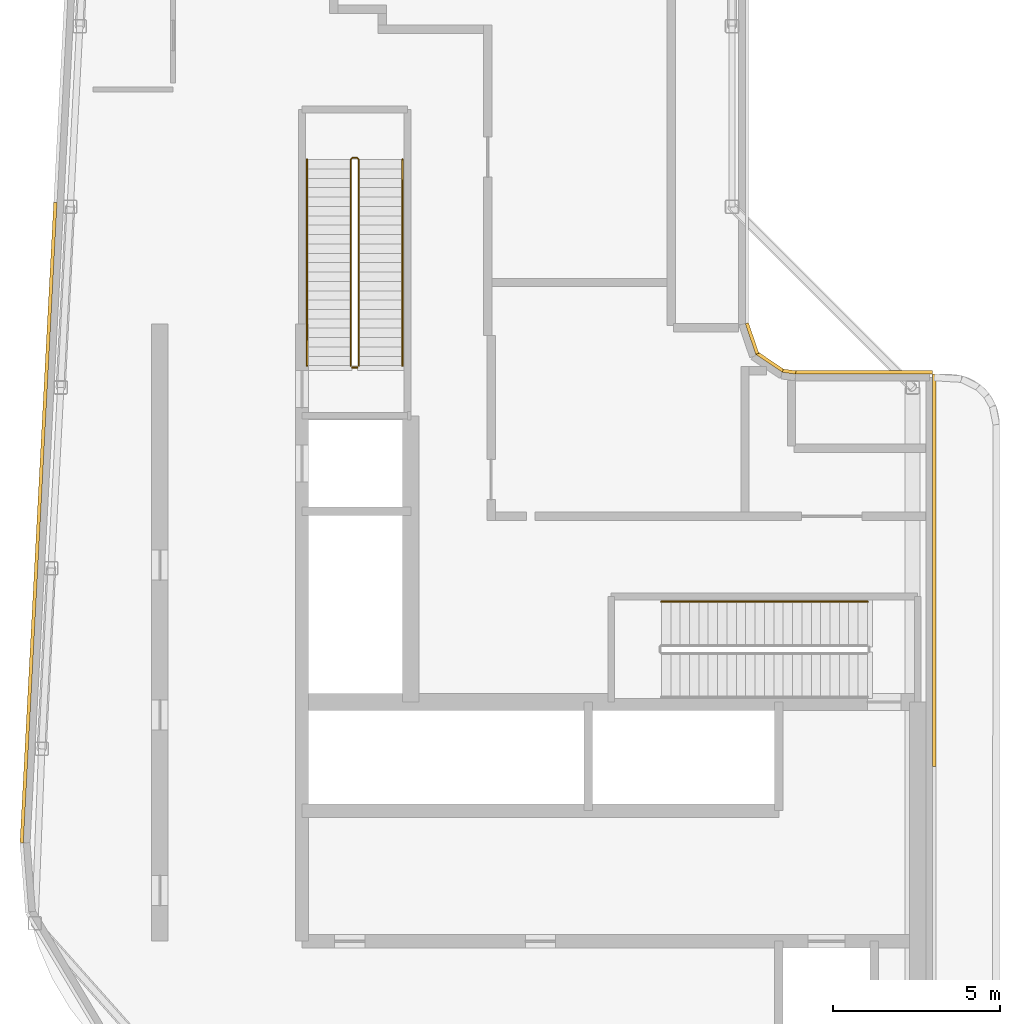
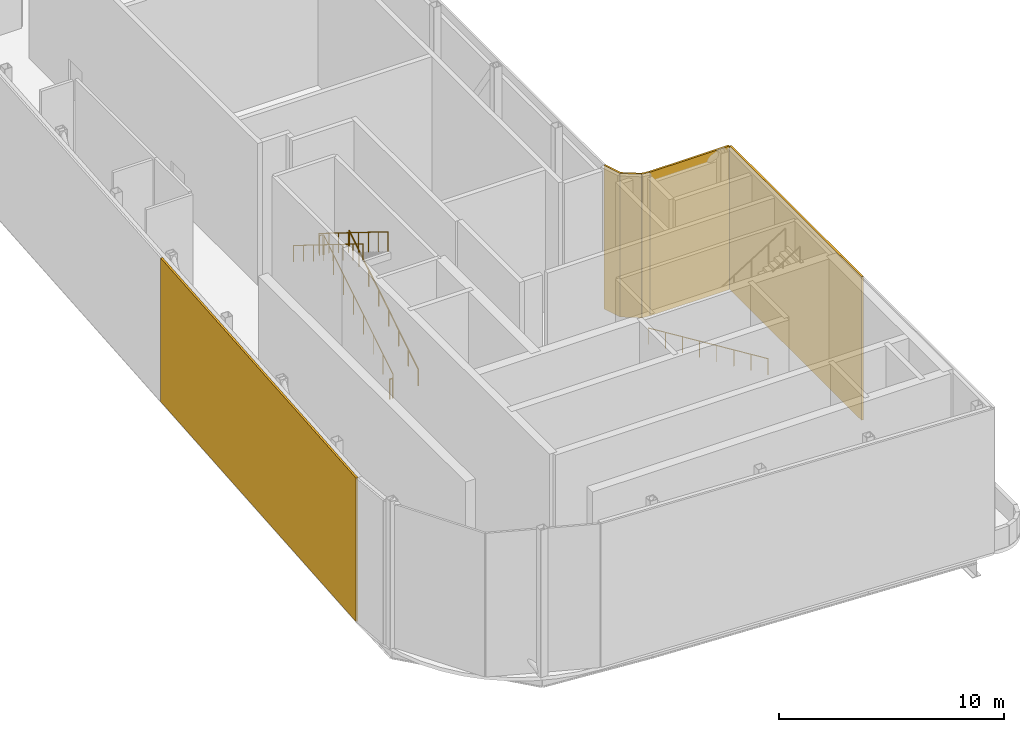
# One storey, part 8 of 10: 6 shading devices, 5 railings.
"""IFC4 building model written with IfcOpenShell, lengths in metres."""

from ifc_helpers import new_model, si_unit, direction, frame, origin, origin_2d, place, context, subcontext, project, spatial, rectangle, circle, extrude, material, layer, layer_set, type_object, element, save


model = new_model("IFC4")

# Units and contexts
model_context = context("Model", 3, precision=1e-05, world=origin(), true_north=direction((0.0, 1.0)))
body_context = subcontext(model_context, "Body", "Model", "MODEL_VIEW")
ifc_project = project(units=[si_unit("LENGTHUNIT", "METRE"), si_unit("AREAUNIT", "SQUARE_METRE"), si_unit("VOLUMEUNIT", "CUBIC_METRE"), si_unit("PLANEANGLEUNIT", "RADIAN"), si_unit("MASSUNIT", "GRAM", prefix="KILO")], contexts=[model_context])

# Site, building, storey
site_placement = place(None, origin())
site = spatial("IfcSite", under=ifc_project, at=site_placement, CompositionType="ELEMENT")
building_placement = place(site_placement, origin())
building = spatial("IfcBuilding", under=site, at=building_placement, Name="Kheshtan School and Residences Tower", CompositionType="ELEMENT")
storey_placement = place(building_placement, frame((0.0, 0.0, 396.800048828125)))
storey = spatial("IfcBuildingStorey", under=building, at=storey_placement, Name="L93", CompositionType="ELEMENT", Elevation=396.800048828125)

# Shading devices
ifc_material_1 = material(Name="Terracotta louvre blades", Category="masonry")
ifc_layer = layer(ifc_material_1, 0.10009765625)
ifc_layer_set = layer_set([ifc_layer], Name="Plant louvre screen")
shading_device_type = type_object("IfcShadingDeviceType", Name="Plant louvre screen", PredefinedType="JALOUSIE", material=ifc_layer_set)
shading_device_1_placement = place(storey_placement, frame((48.201904296875, 47.06005859375, 0.0), z_axis=(0.0, 0.0, 1.0), x_axis=(0.321505572714, -0.946907686479, 0.0)))
element("IfcShadingDevice", 1, at=shading_device_1_placement, inside=storey, type_object=shading_device_type, Name="Plant louvre L93 1.1", PredefinedType="JALOUSIE", context=body_context, shape_type="SweptSolid", body=[
    extrude(rectangle(XDim=0.964111328125, YDim=0.10009765625, at=origin_2d()), origin(), (0.0, 0.0, 1.0), 7.800048828125),
])
shading_device_2_placement = place(storey_placement, frame((48.739013671875, 46.361083984375, 0.0), z_axis=(0.0, 0.0, 1.0), x_axis=(0.831411428565, -0.555657301267, 0.0)))
element("IfcShadingDevice", 2, at=shading_device_2_placement, inside=storey, type_object=shading_device_type, Name="Plant louvre L93 2.1", PredefinedType="JALOUSIE", context=body_context, shape_type="SweptSolid", body=[
    extrude(rectangle(XDim=0.965087890625, YDim=0.10009765625, at=origin_2d()), origin(), (0.0, 0.0, 1.0), 7.800048828125),
])
shading_device_3_placement = place(storey_placement, frame((49.31298828125, 46.074951171875, 0.0), z_axis=(0.0, 0.0, 1.0), x_axis=(0.991472176971, -0.130318541633, 0.0)))
element("IfcShadingDevice", 3, at=shading_device_3_placement, inside=storey, type_object=shading_device_type, Name="Plant louvre L93 3.1", PredefinedType="JALOUSIE", context=body_context, shape_type="SweptSolid", body=[
    extrude(rectangle(XDim=0.39111328125, YDim=0.10009765625, at=origin_2d()), origin(), (0.0, 0.0, 1.0), 7.800048828125),
])
shading_device_4_placement = place(storey_placement, frame((51.550048828125, 46.050048828125, 0.0), z_axis=(0.0, 0.0, 1.0), x_axis=(1.0, 0.0, 0.0)))
element("IfcShadingDevice", 4, at=shading_device_4_placement, inside=storey, type_object=shading_device_type, Name="Plant louvre L93 4.1", PredefinedType="JALOUSIE", context=body_context, shape_type="SweptSolid", body=[
    extrude(rectangle(XDim=4.10009765625, YDim=0.10009765625, at=origin_2d()), origin(), (0.0, 0.0, 1.0), 7.800048828125),
])
shading_device_5_placement = place(storey_placement, frame((53.64990234375, 40.136962890625, 0.0), z_axis=(0.0, 0.0, 1.0), x_axis=(0.0, -1.0, 0.0)))
element("IfcShadingDevice", 5, at=shading_device_5_placement, inside=storey, type_object=shading_device_type, Name="Plant louvre L93 5.1", PredefinedType="JALOUSIE", context=body_context, shape_type="SweptSolid", body=[
    extrude(rectangle(XDim=11.72705078125, YDim=0.10009765625, at=origin_2d()), origin(), (0.0, 0.0, 1.0), 7.800048828125),
])
shading_device_6_placement = place(storey_placement, frame((26.8740234375, 41.56005859375, 0.0), z_axis=(0.0, 0.0, 1.0), x_axis=(0.052562536748, 0.998617634398, 0.0)))
element("IfcShadingDevice", 6, at=shading_device_6_placement, inside=storey, type_object=shading_device_type, Name="Plant louvre L93 10.1", PredefinedType="JALOUSIE", context=body_context, shape_type="SweptSolid", body=[
    extrude(rectangle(XDim=19.1630859375, YDim=0.10009765625, at=origin_2d()), origin(), (0.0, 0.0, 1.0), 7.800048828125),
])

# Railings
ifc_material_2 = material(Name="Stainless steel balustrade", Category="steel")
railing_type_1 = type_object("IfcRailingType", Name="Stair guard 1100", PredefinedType="GUARDRAIL", material=ifc_material_2)
railing_1_placement = place(storey_placement, frame((36.449951171875, 46.25, 0.173828125)))
element("IfcRailing", 7, at=railing_1_placement, inside=storey, type_object=railing_type_1, Name="L93 ST2 stair guard 1", PredefinedType="GUARDRAIL", context=body_context, shape_type="SweptSolid", body=[
    extrude(circle(Radius=0.02392578125, at=origin_2d()), frame((0.0, 0.0, 1.076171875), z_axis=(0.0, 0.849468459523, 0.527639399851), x_axis=(-1.0, 0.0, 0.0)), (0.0, 0.0, 1.0), 7.25146484375),
    extrude(circle(Radius=0.02392578125, at=origin_2d()), frame((0.0, 6.159912109375, 4.90234375), z_axis=(-0.707106781187, 0.707106781187, 0.0), x_axis=(-0.707106781187, -0.707106781187, 0.0)), (0.0, 0.0, 1.0), 0.07080078125),
    extrude(circle(Radius=0.02392578125, at=origin_2d()), frame((-0.050048828125, 6.2099609375, 4.90234375), z_axis=(-1.0, 0.0, 0.0), x_axis=(0.0, -1.0, 0.0)), (0.0, 0.0, 1.0), 0.14990234375),
    extrude(circle(Radius=0.02392578125, at=origin_2d()), frame((-0.199951171875, 6.2099609375, 4.90234375), z_axis=(-0.266662732588, -0.266662732588, 0.92616519806), x_axis=(0.707106781187, -0.707106781187, 0.0)), (0.0, 0.0, 1.0), 0.187744140625),
    extrude(circle(Radius=0.02392578125, at=origin_2d()), frame((-0.25, 6.159912109375, 5.076171875), z_axis=(0.0, -0.849468459523, 0.527639399851), x_axis=(1.0, 0.0, 0.0)), (0.0, 0.0, 1.0), 7.25146484375),
    extrude(circle(Radius=0.02099609375, at=origin_2d()), origin(), (0.0, 0.0, 1.0), 1.052001953125),
    extrude(circle(Radius=0.02099609375, at=origin_2d()), frame((0.0, 0.8798828125, 0.546630859375)), (0.0, 0.0, 1.0), 1.052001953125),
    extrude(circle(Radius=0.02099609375, at=origin_2d()), frame((0.0, 1.760009765625, 1.09326171875)), (0.0, 0.0, 1.0), 1.052001953125),
    extrude(circle(Radius=0.02099609375, at=origin_2d()), frame((0.0, 2.639892578125, 1.639892578125)), (0.0, 0.0, 1.0), 1.052001953125),
    extrude(circle(Radius=0.02099609375, at=origin_2d()), frame((0.0, 3.52001953125, 2.186279296875)), (0.0, 0.0, 1.0), 1.052001953125),
    extrude(circle(Radius=0.02099609375, at=origin_2d()), frame((0.0, 4.39990234375, 2.73291015625)), (0.0, 0.0, 1.0), 1.052001953125),
    extrude(circle(Radius=0.02099609375, at=origin_2d()), frame((0.0, 5.280029296875, 3.279541015625)), (0.0, 0.0, 1.0), 1.052001953125),
    extrude(circle(Radius=0.02099609375, at=origin_2d()), frame((0.0, 6.159912109375, 3.826171875)), (0.0, 0.0, 1.0), 1.052001953125),
    extrude(circle(Radius=0.02099609375, at=origin_2d()), frame((-0.050048828125, 6.2099609375, 3.826171875)), (0.0, 0.0, 1.0), 1.052001953125),
    extrude(circle(Radius=0.02099609375, at=origin_2d()), frame((-0.199951171875, 6.2099609375, 3.826171875)), (0.0, 0.0, 1.0), 1.052001953125),
    extrude(circle(Radius=0.02099609375, at=origin_2d()), frame((-0.25, 6.159912109375, 4.0)), (0.0, 0.0, 1.0), 1.052001953125),
    extrude(circle(Radius=0.02099609375, at=origin_2d()), frame((-0.25, 5.280029296875, 4.546630859375)), (0.0, 0.0, 1.0), 1.052001953125),
    extrude(circle(Radius=0.02099609375, at=origin_2d()), frame((-0.25, 4.39990234375, 5.09326171875)), (0.0, 0.0, 1.0), 1.052001953125),
    extrude(circle(Radius=0.02099609375, at=origin_2d()), frame((-0.25, 3.52001953125, 5.639892578125)), (0.0, 0.0, 1.0), 1.052001953125),
    extrude(circle(Radius=0.02099609375, at=origin_2d()), frame((-0.25, 2.639892578125, 6.186279296875)), (0.0, 0.0, 1.0), 1.052001953125),
    extrude(circle(Radius=0.02099609375, at=origin_2d()), frame((-0.25, 1.760009765625, 6.73291015625)), (0.0, 0.0, 1.0), 1.052001953125),
    extrude(circle(Radius=0.02099609375, at=origin_2d()), frame((-0.25, 0.8798828125, 7.279541015625)), (0.0, 0.0, 1.0), 1.052001953125),
    extrude(circle(Radius=0.02099609375, at=origin_2d()), frame((-0.25, 0.0, 7.826171875)), (0.0, 0.0, 1.0), 1.052001953125),
])
railing_2_placement = place(storey_placement, frame((36.39990234375, 46.199951171875, 0.0)))
element("IfcRailing", 8, at=railing_2_placement, inside=storey, type_object=railing_type_1, Name="L93 ST2 stair guard 2", PredefinedType="GUARDRAIL", context=body_context, shape_type="SweptSolid", body=[
    extrude(circle(Radius=0.02392578125, at=origin_2d()), frame((0.0, 0.0, 1.076171875), z_axis=(-1.0, 0.0, 0.0), x_axis=(0.0, -1.0, 0.0)), (0.0, 0.0, 1.0), 0.14990234375),
    extrude(circle(Radius=0.02099609375, at=origin_2d()), origin(), (0.0, 0.0, 1.0), 1.052001953125),
    extrude(circle(Radius=0.02099609375, at=origin_2d()), frame((-0.14990234375, 0.0, 0.0)), (0.0, 0.0, 1.0), 1.052001953125),
])
ifc_material_3 = material(Name="Stainless steel handrail", Category="steel")
railing_type_2 = type_object("IfcRailingType", Name="Stair handrail 900", PredefinedType="HANDRAIL", material=ifc_material_3)
railing_3_placement = place(storey_placement, frame((51.64990234375, 39.199951171875, 0.173828125)))
element("IfcRailing", 9, at=railing_3_placement, inside=storey, type_object=railing_type_2, Name="L93 ST1 stair handrail 1", PredefinedType="HANDRAIL", context=body_context, shape_type="SweptSolid", body=[
    extrude(circle(Radius=0.02392578125, at=origin_2d()), frame((0.0, 0.0, 0.8759765625), z_axis=(-0.849468459523, 0.0, 0.527639399851), x_axis=(0.0, -1.0, 0.0)), (0.0, 0.0, 1.0), 7.25146484375),
    extrude(circle(Radius=0.02099609375, at=origin_2d()), origin(), (0.0, 0.0, 1.0), 0.851806640625),
    extrude(circle(Radius=0.02099609375, at=origin_2d()), frame((-0.8798828125, 0.0, 0.546630859375)), (0.0, 0.0, 1.0), 0.851806640625),
    extrude(circle(Radius=0.02099609375, at=origin_2d()), frame((-1.760009765625, 0.0, 1.09326171875)), (0.0, 0.0, 1.0), 0.851806640625),
    extrude(circle(Radius=0.02099609375, at=origin_2d()), frame((-2.639892578125, 0.0, 1.639892578125)), (0.0, 0.0, 1.0), 0.851806640625),
    extrude(circle(Radius=0.02099609375, at=origin_2d()), frame((-3.52001953125, 0.0, 2.186279296875)), (0.0, 0.0, 1.0), 0.851806640625),
    extrude(circle(Radius=0.02099609375, at=origin_2d()), frame((-4.39990234375, 0.0, 2.73291015625)), (0.0, 0.0, 1.0), 0.851806640625),
    extrude(circle(Radius=0.02099609375, at=origin_2d()), frame((-5.280029296875, 0.0, 3.279541015625)), (0.0, 0.0, 1.0), 0.851806640625),
    extrude(circle(Radius=0.02099609375, at=origin_2d()), frame((-6.159912109375, 0.0, 3.826171875)), (0.0, 0.0, 1.0), 0.851806640625),
])
railing_4_placement = place(storey_placement, frame((37.75, 46.25, 0.173828125)))
element("IfcRailing", 10, at=railing_4_placement, inside=storey, type_object=railing_type_2, Name="L93 ST2 stair handrail 1", PredefinedType="HANDRAIL", context=body_context, shape_type="SweptSolid", body=[
    extrude(circle(Radius=0.02392578125, at=origin_2d()), frame((0.0, 0.0, 0.8759765625), z_axis=(0.0, 0.849468459523, 0.527639399851), x_axis=(-1.0, 0.0, 0.0)), (0.0, 0.0, 1.0), 7.25146484375),
    extrude(circle(Radius=0.02099609375, at=origin_2d()), origin(), (0.0, 0.0, 1.0), 0.851806640625),
    extrude(circle(Radius=0.02099609375, at=origin_2d()), frame((0.0, 0.8798828125, 0.546630859375)), (0.0, 0.0, 1.0), 0.851806640625),
    extrude(circle(Radius=0.02099609375, at=origin_2d()), frame((0.0, 1.760009765625, 1.09326171875)), (0.0, 0.0, 1.0), 0.851806640625),
    extrude(circle(Radius=0.02099609375, at=origin_2d()), frame((0.0, 2.639892578125, 1.639892578125)), (0.0, 0.0, 1.0), 0.851806640625),
    extrude(circle(Radius=0.02099609375, at=origin_2d()), frame((0.0, 3.52001953125, 2.186279296875)), (0.0, 0.0, 1.0), 0.851806640625),
    extrude(circle(Radius=0.02099609375, at=origin_2d()), frame((0.0, 4.39990234375, 2.73291015625)), (0.0, 0.0, 1.0), 0.851806640625),
    extrude(circle(Radius=0.02099609375, at=origin_2d()), frame((0.0, 5.280029296875, 3.279541015625)), (0.0, 0.0, 1.0), 0.851806640625),
    extrude(circle(Radius=0.02099609375, at=origin_2d()), frame((0.0, 6.159912109375, 3.826171875)), (0.0, 0.0, 1.0), 0.851806640625),
])
railing_5_placement = place(storey_placement, frame((34.89990234375, 52.409912109375, 4.173828125)))
element("IfcRailing", 11, at=railing_5_placement, inside=storey, type_object=railing_type_2, Name="L93 ST2 stair handrail 2", PredefinedType="HANDRAIL", context=body_context, shape_type="SweptSolid", body=[
    extrude(circle(Radius=0.02392578125, at=origin_2d()), frame((0.0, 0.0, 0.8759765625), z_axis=(0.0, -0.849468459523, 0.527639399851), x_axis=(1.0, 0.0, 0.0)), (0.0, 0.0, 1.0), 7.25146484375),
    extrude(circle(Radius=0.02099609375, at=origin_2d()), origin(), (0.0, 0.0, 1.0), 0.851806640625),
    extrude(circle(Radius=0.02099609375, at=origin_2d()), frame((0.0, -0.8798828125, 0.546630859375)), (0.0, 0.0, 1.0), 0.851806640625),
    extrude(circle(Radius=0.02099609375, at=origin_2d()), frame((0.0, -1.760009765625, 1.09326171875)), (0.0, 0.0, 1.0), 0.851806640625),
    extrude(circle(Radius=0.02099609375, at=origin_2d()), frame((0.0, -2.639892578125, 1.639892578125)), (0.0, 0.0, 1.0), 0.851806640625),
    extrude(circle(Radius=0.02099609375, at=origin_2d()), frame((0.0, -3.52001953125, 2.186279296875)), (0.0, 0.0, 1.0), 0.851806640625),
    extrude(circle(Radius=0.02099609375, at=origin_2d()), frame((0.0, -4.39990234375, 2.73291015625)), (0.0, 0.0, 1.0), 0.851806640625),
    extrude(circle(Radius=0.02099609375, at=origin_2d()), frame((0.0, -5.280029296875, 3.279541015625)), (0.0, 0.0, 1.0), 0.851806640625),
    extrude(circle(Radius=0.02099609375, at=origin_2d()), frame((0.0, -6.159912109375, 3.826171875)), (0.0, 0.0, 1.0), 0.851806640625),
])

save(model, "model.ifc")
